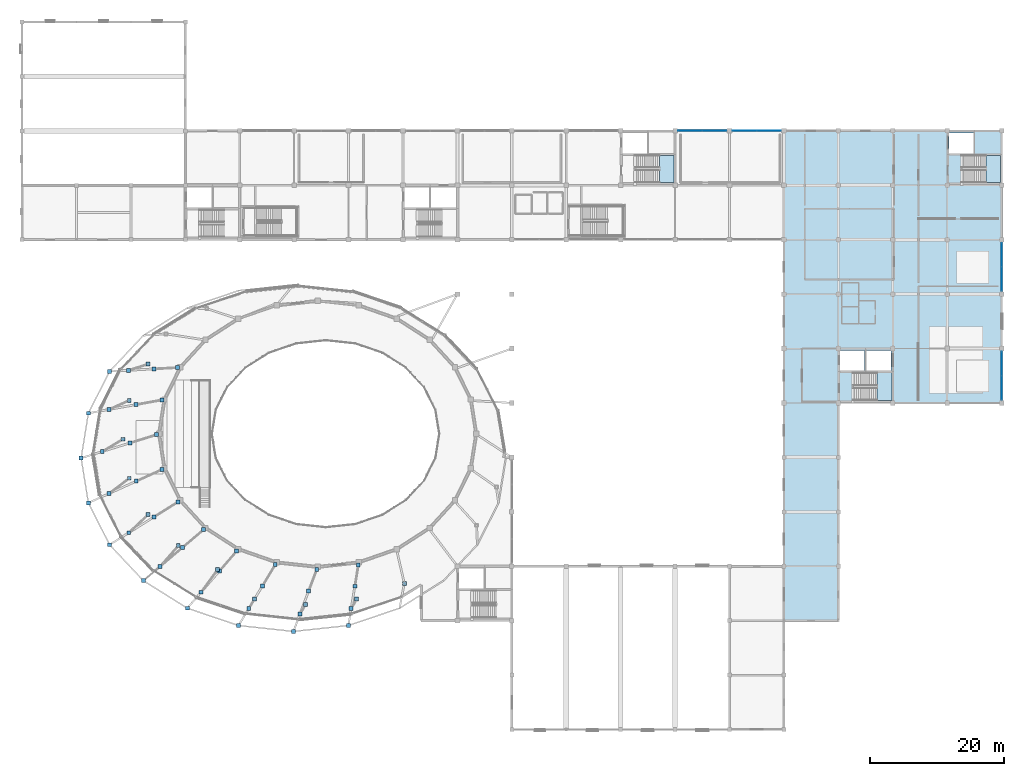
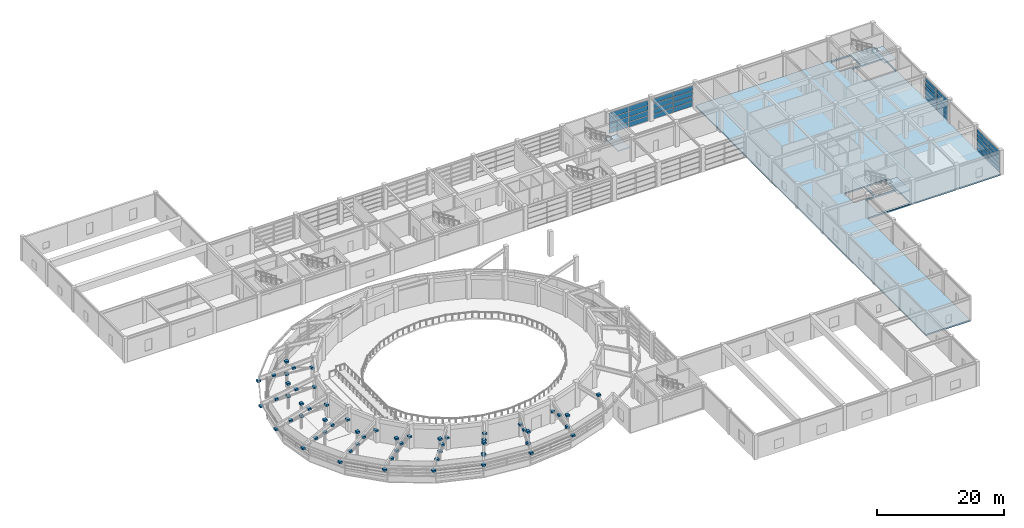
# One storey, part 40 of 58: 97 plates, 4 slabs, 7 elements without a shape of their own.
"""IFC4 building model written with IfcOpenShell, lengths in metres."""

from ifc_helpers import new_model, si_unit, direction, frame, origin, origin_2d, place, context, subcontext, project, spatial, polyline, rectangle, outline, extrude, material, layer, layer_set, type_object, element, aggregate, save


model = new_model("IFC4")

# Units and contexts
model_context = context("Model", 3, precision=1e-05, world=origin(), true_north=direction((0.0, 1.0)))
body_context = subcontext(model_context, "Body", "Model", "MODEL_VIEW")
ifc_project = project(units=[si_unit("LENGTHUNIT", "METRE"), si_unit("AREAUNIT", "SQUARE_METRE"), si_unit("VOLUMEUNIT", "CUBIC_METRE"), si_unit("PLANEANGLEUNIT", "RADIAN"), si_unit("MASSUNIT", "GRAM", prefix="KILO")], contexts=[model_context])

# Site, building, storey
site_placement = place(None, origin())
site = spatial("IfcSite", under=ifc_project, at=site_placement, CompositionType="ELEMENT")
building_placement = place(site_placement, origin())
building = spatial("IfcBuilding", under=site, at=building_placement, Name="Parian Resonance Hall", CompositionType="ELEMENT")
storey_placement = place(building_placement, frame((0.0, 0.0, 10.199951171875)))
storey = spatial("IfcBuildingStorey", under=building, at=storey_placement, Name="L02", CompositionType="ELEMENT", Elevation=10.199951171875)

# Curtain wall, plates
ifc_material_1 = material(Name="Bronze-anodised aluminium frame", Category="aluminium")
curtain_wall_type_1 = type_object("IfcCurtainWallType", Name="CW-SYS-02", PredefinedType="NOTDEFINED", material=ifc_material_1)
curtain_wall_1_placement = place(storey_placement, origin())
curtain_wall_1 = element("IfcCurtainWall", 1, at=curtain_wall_1_placement, inside=storey, type_object=curtain_wall_type_1, Name="Curtain wall CW-L02-102", PredefinedType="NOTDEFINED")
ifc_material_2 = material(Name="Acoustic laminated double glazing", Category="glass")
ifc_layer_1 = layer(ifc_material_2, 0.02197265625)
ifc_layer_set_1 = layer_set([ifc_layer_1], Name="Acoustic laminated double glazing")
plate_type_1 = type_object("IfcPlateType", Name="CWP-IGU22", PredefinedType="CURTAIN_PANEL", material=ifc_layer_set_1)
plate_1_placement = place(storey_placement, frame((99.458740234375, 89.10009765625, 0.06689453125), z_axis=(0.0, 0.0, 1.0), x_axis=(1.0, 0.0, 0.0)))
plate_1 = element("IfcPlate", 2, at=plate_1_placement, type_object=plate_type_1, Name="CW-02 panel 1.1", PredefinedType="CURTAIN_PANEL", context=body_context, shape_type="SweptSolid", body=[
    extrude(rectangle(XDim=3.507568359375, YDim=0.02197265625, at=origin_2d()), origin(), (0.0, 0.0, 1.0), 0.917236328125),
])
plate_2_placement = place(storey_placement, frame((99.458740234375, 89.10009765625, 1.059326171875), z_axis=(0.0, 0.0, 1.0), x_axis=(1.0, 0.0, 0.0)))
plate_2 = element("IfcPlate", 3, at=plate_2_placement, type_object=plate_type_1, Name="CW-02 panel 1.2", PredefinedType="CURTAIN_PANEL", context=body_context, shape_type="SweptSolid", body=[
    extrude(rectangle(XDim=3.507568359375, YDim=0.02197265625, at=origin_2d()), origin(), (0.0, 0.0, 1.0), 0.94677734375),
])
plate_3_placement = place(storey_placement, frame((99.458740234375, 89.10009765625, 2.0810546875), z_axis=(0.0, 0.0, 1.0), x_axis=(1.0, 0.0, 0.0)))
plate_3 = element("IfcPlate", 4, at=plate_3_placement, type_object=plate_type_1, Name="CW-02 panel 1.3", PredefinedType="CURTAIN_PANEL", context=body_context, shape_type="SweptSolid", body=[
    extrude(rectangle(XDim=3.507568359375, YDim=0.02197265625, at=origin_2d()), origin(), (0.0, 0.0, 1.0), 0.94677734375),
])
plate_4_placement = place(storey_placement, frame((99.458740234375, 89.10009765625, 3.10302734375), z_axis=(0.0, 0.0, 1.0), x_axis=(1.0, 0.0, 0.0)))
plate_4 = element("IfcPlate", 5, at=plate_4_placement, type_object=plate_type_1, Name="CW-02 panel 1.4", PredefinedType="CURTAIN_PANEL", context=body_context, shape_type="SweptSolid", body=[
    extrude(rectangle(XDim=3.507568359375, YDim=0.02197265625, at=origin_2d()), origin(), (0.0, 0.0, 1.0), 0.919189453125),
])
plate_5_placement = place(storey_placement, frame((103.041259765625, 89.10009765625, 0.06689453125), z_axis=(0.0, 0.0, 1.0), x_axis=(1.0, 0.0, 0.0)))
plate_5 = element("IfcPlate", 6, at=plate_5_placement, type_object=plate_type_1, Name="CW-02 panel 2.1", PredefinedType="CURTAIN_PANEL", context=body_context, shape_type="SweptSolid", body=[
    extrude(rectangle(XDim=3.507568359375, YDim=0.02197265625, at=origin_2d()), origin(), (0.0, 0.0, 1.0), 0.917236328125),
])
plate_6_placement = place(storey_placement, frame((103.041259765625, 89.10009765625, 1.059326171875), z_axis=(0.0, 0.0, 1.0), x_axis=(1.0, 0.0, 0.0)))
plate_6 = element("IfcPlate", 7, at=plate_6_placement, type_object=plate_type_1, Name="CW-02 panel 2.2", PredefinedType="CURTAIN_PANEL", context=body_context, shape_type="SweptSolid", body=[
    extrude(rectangle(XDim=3.507568359375, YDim=0.02197265625, at=origin_2d()), origin(), (0.0, 0.0, 1.0), 0.94677734375),
])
plate_7_placement = place(storey_placement, frame((103.041259765625, 89.10009765625, 2.0810546875), z_axis=(0.0, 0.0, 1.0), x_axis=(1.0, 0.0, 0.0)))
plate_7 = element("IfcPlate", 8, at=plate_7_placement, type_object=plate_type_1, Name="CW-02 panel 2.3", PredefinedType="CURTAIN_PANEL", context=body_context, shape_type="SweptSolid", body=[
    extrude(rectangle(XDim=3.507568359375, YDim=0.02197265625, at=origin_2d()), origin(), (0.0, 0.0, 1.0), 0.94677734375),
])
plate_8_placement = place(storey_placement, frame((103.041259765625, 89.10009765625, 3.10302734375), z_axis=(0.0, 0.0, 1.0), x_axis=(1.0, 0.0, 0.0)))
plate_8 = element("IfcPlate", 9, at=plate_8_placement, type_object=plate_type_1, Name="CW-02 panel 2.4", PredefinedType="CURTAIN_PANEL", context=body_context, shape_type="SweptSolid", body=[
    extrude(rectangle(XDim=3.507568359375, YDim=0.02197265625, at=origin_2d()), origin(), (0.0, 0.0, 1.0), 0.919189453125),
])
aggregate(curtain_wall_1, [plate_1, plate_2, plate_3, plate_4, plate_5, plate_6, plate_7, plate_8])

ifc_material_3 = material(Name="Bronze-anodised aluminium frame", Category="aluminium")
curtain_wall_type_2 = type_object("IfcCurtainWallType", Name="CW-SYS-03", PredefinedType="NOTDEFINED", material=ifc_material_3)
curtain_wall_2_placement = place(storey_placement, origin())
curtain_wall_2 = element("IfcCurtainWall", 10, at=curtain_wall_2_placement, inside=storey, type_object=curtain_wall_type_2, Name="Curtain wall CW-L02-105", PredefinedType="NOTDEFINED")
plate_9_placement = place(storey_placement, frame((107.55615234375, 89.10009765625, 0.05712890625), z_axis=(0.0, 0.0, 1.0), x_axis=(1.0, 0.0, 0.0)))
plate_9 = element("IfcPlate", 11, at=plate_9_placement, type_object=plate_type_1, Name="CW-03 panel 1.1", PredefinedType="CURTAIN_PANEL", context=body_context, shape_type="SweptSolid", body=[
    extrude(rectangle(XDim=3.5224609375, YDim=0.02197265625, at=origin_2d()), origin(), (0.0, 0.0, 1.0), 0.919189453125),
])
plate_10_placement = place(storey_placement, frame((107.55615234375, 89.10009765625, 1.041259765625), z_axis=(0.0, 0.0, 1.0), x_axis=(1.0, 0.0, 0.0)))
plate_10 = element("IfcPlate", 12, at=plate_10_placement, type_object=plate_type_1, Name="CW-03 panel 1.2", PredefinedType="CURTAIN_PANEL", context=body_context, shape_type="SweptSolid", body=[
    extrude(rectangle(XDim=3.5224609375, YDim=0.02197265625, at=origin_2d()), origin(), (0.0, 0.0, 1.0), 0.94384765625),
])
plate_11_placement = place(storey_placement, frame((107.55615234375, 89.10009765625, 2.050048828125), z_axis=(0.0, 0.0, 1.0), x_axis=(1.0, 0.0, 0.0)))
plate_11 = element("IfcPlate", 13, at=plate_11_placement, type_object=plate_type_1, Name="CW-03 panel 1.3", PredefinedType="CURTAIN_PANEL", context=body_context, shape_type="SweptSolid", body=[
    extrude(rectangle(XDim=3.5224609375, YDim=0.02197265625, at=origin_2d()), origin(), (0.0, 0.0, 1.0), 0.94384765625),
])
plate_12_placement = place(storey_placement, frame((107.55615234375, 89.10009765625, 3.05908203125), z_axis=(0.0, 0.0, 1.0), x_axis=(1.0, 0.0, 0.0)))
plate_12 = element("IfcPlate", 14, at=plate_12_placement, type_object=plate_type_1, Name="CW-03 panel 1.4", PredefinedType="CURTAIN_PANEL", context=body_context, shape_type="SweptSolid", body=[
    extrude(rectangle(XDim=3.5224609375, YDim=0.02197265625, at=origin_2d()), origin(), (0.0, 0.0, 1.0), 0.921142578125),
])
plate_13_placement = place(storey_placement, frame((111.143798828125, 89.10009765625, 0.05712890625), z_axis=(0.0, 0.0, 1.0), x_axis=(1.0, 0.0, 0.0)))
plate_13 = element("IfcPlate", 15, at=plate_13_placement, type_object=plate_type_1, Name="CW-03 panel 2.1", PredefinedType="CURTAIN_PANEL", context=body_context, shape_type="SweptSolid", body=[
    extrude(rectangle(XDim=3.5224609375, YDim=0.02197265625, at=origin_2d()), origin(), (0.0, 0.0, 1.0), 0.919189453125),
])
plate_14_placement = place(storey_placement, frame((111.143798828125, 89.10009765625, 1.041259765625), z_axis=(0.0, 0.0, 1.0), x_axis=(1.0, 0.0, 0.0)))
plate_14 = element("IfcPlate", 16, at=plate_14_placement, type_object=plate_type_1, Name="CW-03 panel 2.2", PredefinedType="CURTAIN_PANEL", context=body_context, shape_type="SweptSolid", body=[
    extrude(rectangle(XDim=3.5224609375, YDim=0.02197265625, at=origin_2d()), origin(), (0.0, 0.0, 1.0), 0.94384765625),
])
plate_15_placement = place(storey_placement, frame((111.143798828125, 89.10009765625, 2.050048828125), z_axis=(0.0, 0.0, 1.0), x_axis=(1.0, 0.0, 0.0)))
plate_15 = element("IfcPlate", 17, at=plate_15_placement, type_object=plate_type_1, Name="CW-03 panel 2.3", PredefinedType="CURTAIN_PANEL", context=body_context, shape_type="SweptSolid", body=[
    extrude(rectangle(XDim=3.5224609375, YDim=0.02197265625, at=origin_2d()), origin(), (0.0, 0.0, 1.0), 0.94384765625),
])
plate_16_placement = place(storey_placement, frame((111.143798828125, 89.10009765625, 3.05908203125), z_axis=(0.0, 0.0, 1.0), x_axis=(1.0, 0.0, 0.0)))
plate_16 = element("IfcPlate", 18, at=plate_16_placement, type_object=plate_type_1, Name="CW-03 panel 2.4", PredefinedType="CURTAIN_PANEL", context=body_context, shape_type="SweptSolid", body=[
    extrude(rectangle(XDim=3.5224609375, YDim=0.02197265625, at=origin_2d()), origin(), (0.0, 0.0, 1.0), 0.921142578125),
])
aggregate(curtain_wall_2, [plate_9, plate_10, plate_11, plate_12, plate_13, plate_14, plate_15, plate_16])

curtain_wall_3_placement = place(storey_placement, origin())
curtain_wall_3 = element("IfcCurtainWall", 19, at=curtain_wall_3_placement, inside=storey, type_object=curtain_wall_type_2, Name="Curtain wall CW-L02-147", PredefinedType="NOTDEFINED")
plate_17_placement = place(storey_placement, frame((145.800048828125, 70.643798828125, 0.05712890625), z_axis=(0.0, 0.0, 1.0), x_axis=(0.0, -1.0, 0.0)))
plate_17 = element("IfcPlate", 20, at=plate_17_placement, type_object=plate_type_1, Name="CW-03 panel 1.1", PredefinedType="CURTAIN_PANEL", context=body_context, shape_type="SweptSolid", body=[
    extrude(rectangle(XDim=3.5224609375, YDim=0.02197265625, at=origin_2d()), origin(), (0.0, 0.0, 1.0), 0.747802734375),
])
plate_18_placement = place(storey_placement, frame((145.800048828125, 70.643798828125, 0.869873046875), z_axis=(0.0, 0.0, 1.0), x_axis=(0.0, -1.0, 0.0)))
plate_18 = element("IfcPlate", 21, at=plate_18_placement, type_object=plate_type_1, Name="CW-03 panel 1.2", PredefinedType="CURTAIN_PANEL", context=body_context, shape_type="SweptSolid", body=[
    extrude(rectangle(XDim=3.5224609375, YDim=0.02197265625, at=origin_2d()), origin(), (0.0, 0.0, 1.0), 0.7724609375),
])
plate_19_placement = place(storey_placement, frame((145.800048828125, 70.643798828125, 1.707275390625), z_axis=(0.0, 0.0, 1.0), x_axis=(0.0, -1.0, 0.0)))
plate_19 = element("IfcPlate", 22, at=plate_19_placement, type_object=plate_type_1, Name="CW-03 panel 1.3", PredefinedType="CURTAIN_PANEL", context=body_context, shape_type="SweptSolid", body=[
    extrude(rectangle(XDim=3.5224609375, YDim=0.02197265625, at=origin_2d()), origin(), (0.0, 0.0, 1.0), 0.7724609375),
])
plate_20_placement = place(storey_placement, frame((145.800048828125, 70.643798828125, 2.544677734375), z_axis=(0.0, 0.0, 1.0), x_axis=(0.0, -1.0, 0.0)))
plate_20 = element("IfcPlate", 23, at=plate_20_placement, type_object=plate_type_1, Name="CW-03 panel 1.4", PredefinedType="CURTAIN_PANEL", context=body_context, shape_type="SweptSolid", body=[
    extrude(rectangle(XDim=3.5224609375, YDim=0.02197265625, at=origin_2d()), origin(), (0.0, 0.0, 1.0), 0.7724609375),
])
plate_21_placement = place(storey_placement, frame((145.800048828125, 70.643798828125, 3.382080078125), z_axis=(0.0, 0.0, 1.0), x_axis=(0.0, -1.0, 0.0)))
plate_21 = element("IfcPlate", 24, at=plate_21_placement, type_object=plate_type_1, Name="CW-03 panel 1.5", PredefinedType="CURTAIN_PANEL", context=body_context, shape_type="SweptSolid", body=[
    extrude(rectangle(XDim=3.5224609375, YDim=0.02197265625, at=origin_2d()), origin(), (0.0, 0.0, 1.0), 0.75),
])
plate_22_placement = place(storey_placement, frame((145.800048828125, 67.05615234375, 0.05712890625), z_axis=(0.0, 0.0, 1.0), x_axis=(0.0, -1.0, 0.0)))
plate_22 = element("IfcPlate", 25, at=plate_22_placement, type_object=plate_type_1, Name="CW-03 panel 2.1", PredefinedType="CURTAIN_PANEL", context=body_context, shape_type="SweptSolid", body=[
    extrude(rectangle(XDim=3.5224609375, YDim=0.02197265625, at=origin_2d()), origin(), (0.0, 0.0, 1.0), 0.747802734375),
])
plate_23_placement = place(storey_placement, frame((145.800048828125, 67.05615234375, 0.869873046875), z_axis=(0.0, 0.0, 1.0), x_axis=(0.0, -1.0, 0.0)))
plate_23 = element("IfcPlate", 26, at=plate_23_placement, type_object=plate_type_1, Name="CW-03 panel 2.2", PredefinedType="CURTAIN_PANEL", context=body_context, shape_type="SweptSolid", body=[
    extrude(rectangle(XDim=3.5224609375, YDim=0.02197265625, at=origin_2d()), origin(), (0.0, 0.0, 1.0), 0.7724609375),
])
plate_24_placement = place(storey_placement, frame((145.800048828125, 67.05615234375, 1.707275390625), z_axis=(0.0, 0.0, 1.0), x_axis=(0.0, -1.0, 0.0)))
plate_24 = element("IfcPlate", 27, at=plate_24_placement, type_object=plate_type_1, Name="CW-03 panel 2.3", PredefinedType="CURTAIN_PANEL", context=body_context, shape_type="SweptSolid", body=[
    extrude(rectangle(XDim=3.5224609375, YDim=0.02197265625, at=origin_2d()), origin(), (0.0, 0.0, 1.0), 0.7724609375),
])
plate_25_placement = place(storey_placement, frame((145.800048828125, 67.05615234375, 2.544677734375), z_axis=(0.0, 0.0, 1.0), x_axis=(0.0, -1.0, 0.0)))
plate_25 = element("IfcPlate", 28, at=plate_25_placement, type_object=plate_type_1, Name="CW-03 panel 2.4", PredefinedType="CURTAIN_PANEL", context=body_context, shape_type="SweptSolid", body=[
    extrude(rectangle(XDim=3.5224609375, YDim=0.02197265625, at=origin_2d()), origin(), (0.0, 0.0, 1.0), 0.7724609375),
])
plate_26_placement = place(storey_placement, frame((145.800048828125, 67.05615234375, 3.382080078125), z_axis=(0.0, 0.0, 1.0), x_axis=(0.0, -1.0, 0.0)))
plate_26 = element("IfcPlate", 29, at=plate_26_placement, type_object=plate_type_1, Name="CW-03 panel 2.5", PredefinedType="CURTAIN_PANEL", context=body_context, shape_type="SweptSolid", body=[
    extrude(rectangle(XDim=3.5224609375, YDim=0.02197265625, at=origin_2d()), origin(), (0.0, 0.0, 1.0), 0.75),
])
aggregate(curtain_wall_3, [plate_17, plate_18, plate_19, plate_20, plate_21, plate_22, plate_23, plate_24, plate_25, plate_26])

ifc_material_4 = material(Name="Bronze-anodised aluminium frame", Category="aluminium")
curtain_wall_type_3 = type_object("IfcCurtainWallType", Name="CW-SYS-01", PredefinedType="NOTDEFINED", material=ifc_material_4)
curtain_wall_4_placement = place(storey_placement, origin())
curtain_wall_4 = element("IfcCurtainWall", 30, at=curtain_wall_4_placement, inside=storey, type_object=curtain_wall_type_3, Name="Curtain wall CW-L02-146", PredefinedType="NOTDEFINED")
ifc_material_5 = material(Name="Acoustic laminated double glazing", Category="glass")
ifc_layer_2 = layer(ifc_material_5, 0.0419921875)
ifc_layer_set_2 = layer_set([ifc_layer_2], Name="Acoustic laminated double glazing")
plate_type_2 = type_object("IfcPlateType", Name="CWP-IGU42", PredefinedType="CURTAIN_PANEL", material=ifc_layer_set_2)
plate_27_placement = place(storey_placement, frame((145.800048828125, 54.441162109375, 0.067138671875), z_axis=(0.0, 0.0, 1.0), x_axis=(0.0, -1.0, 0.0)))
plate_27 = element("IfcPlate", 31, at=plate_27_placement, type_object=plate_type_2, Name="CW-01 panel 1.1", PredefinedType="CURTAIN_PANEL", context=body_context, shape_type="SweptSolid", body=[
    extrude(rectangle(XDim=3.507568359375, YDim=0.0419921875, at=origin_2d()), origin(), (0.0, 0.0, 1.0), 0.73291015625),
])
plate_28_placement = place(storey_placement, frame((145.800048828125, 54.441162109375, 0.875), z_axis=(0.0, 0.0, 1.0), x_axis=(0.0, -1.0, 0.0)))
plate_28 = element("IfcPlate", 32, at=plate_28_placement, type_object=plate_type_2, Name="CW-01 panel 1.2", PredefinedType="CURTAIN_PANEL", context=body_context, shape_type="SweptSolid", body=[
    extrude(rectangle(XDim=3.507568359375, YDim=0.0419921875, at=origin_2d()), origin(), (0.0, 0.0, 1.0), 0.762451171875),
])
plate_29_placement = place(storey_placement, frame((145.800048828125, 54.441162109375, 1.71240234375), z_axis=(0.0, 0.0, 1.0), x_axis=(0.0, -1.0, 0.0)))
plate_29 = element("IfcPlate", 33, at=plate_29_placement, type_object=plate_type_2, Name="CW-01 panel 1.3", PredefinedType="CURTAIN_PANEL", context=body_context, shape_type="SweptSolid", body=[
    extrude(rectangle(XDim=3.507568359375, YDim=0.0419921875, at=origin_2d()), origin(), (0.0, 0.0, 1.0), 0.762451171875),
])
plate_30_placement = place(storey_placement, frame((145.800048828125, 54.441162109375, 2.5498046875), z_axis=(0.0, 0.0, 1.0), x_axis=(0.0, -1.0, 0.0)))
plate_30 = element("IfcPlate", 34, at=plate_30_placement, type_object=plate_type_2, Name="CW-01 panel 1.4", PredefinedType="CURTAIN_PANEL", context=body_context, shape_type="SweptSolid", body=[
    extrude(rectangle(XDim=3.507568359375, YDim=0.0419921875, at=origin_2d()), origin(), (0.0, 0.0, 1.0), 0.762451171875),
])
plate_31_placement = place(storey_placement, frame((145.800048828125, 54.441162109375, 3.38720703125), z_axis=(0.0, 0.0, 1.0), x_axis=(0.0, -1.0, 0.0)))
plate_31 = element("IfcPlate", 35, at=plate_31_placement, type_object=plate_type_2, Name="CW-01 panel 1.5", PredefinedType="CURTAIN_PANEL", context=body_context, shape_type="SweptSolid", body=[
    extrude(rectangle(XDim=3.507568359375, YDim=0.0419921875, at=origin_2d()), origin(), (0.0, 0.0, 1.0), 0.73486328125),
])
plate_32_placement = place(storey_placement, frame((145.800048828125, 50.858642578125, 0.067138671875), z_axis=(0.0, 0.0, 1.0), x_axis=(0.0, -1.0, 0.0)))
plate_32 = element("IfcPlate", 36, at=plate_32_placement, type_object=plate_type_2, Name="CW-01 panel 2.1", PredefinedType="CURTAIN_PANEL", context=body_context, shape_type="SweptSolid", body=[
    extrude(rectangle(XDim=3.507568359375, YDim=0.0419921875, at=origin_2d()), origin(), (0.0, 0.0, 1.0), 0.73291015625),
])
plate_33_placement = place(storey_placement, frame((145.800048828125, 50.858642578125, 0.875), z_axis=(0.0, 0.0, 1.0), x_axis=(0.0, -1.0, 0.0)))
plate_33 = element("IfcPlate", 37, at=plate_33_placement, type_object=plate_type_2, Name="CW-01 panel 2.2", PredefinedType="CURTAIN_PANEL", context=body_context, shape_type="SweptSolid", body=[
    extrude(rectangle(XDim=3.507568359375, YDim=0.0419921875, at=origin_2d()), origin(), (0.0, 0.0, 1.0), 0.762451171875),
])
plate_34_placement = place(storey_placement, frame((145.800048828125, 50.858642578125, 1.71240234375), z_axis=(0.0, 0.0, 1.0), x_axis=(0.0, -1.0, 0.0)))
plate_34 = element("IfcPlate", 38, at=plate_34_placement, type_object=plate_type_2, Name="CW-01 panel 2.3", PredefinedType="CURTAIN_PANEL", context=body_context, shape_type="SweptSolid", body=[
    extrude(rectangle(XDim=3.507568359375, YDim=0.0419921875, at=origin_2d()), origin(), (0.0, 0.0, 1.0), 0.762451171875),
])
plate_35_placement = place(storey_placement, frame((145.800048828125, 50.858642578125, 2.5498046875), z_axis=(0.0, 0.0, 1.0), x_axis=(0.0, -1.0, 0.0)))
plate_35 = element("IfcPlate", 39, at=plate_35_placement, type_object=plate_type_2, Name="CW-01 panel 2.4", PredefinedType="CURTAIN_PANEL", context=body_context, shape_type="SweptSolid", body=[
    extrude(rectangle(XDim=3.507568359375, YDim=0.0419921875, at=origin_2d()), origin(), (0.0, 0.0, 1.0), 0.762451171875),
])
plate_36_placement = place(storey_placement, frame((145.800048828125, 50.858642578125, 3.38720703125), z_axis=(0.0, 0.0, 1.0), x_axis=(0.0, -1.0, 0.0)))
plate_36 = element("IfcPlate", 40, at=plate_36_placement, type_object=plate_type_2, Name="CW-01 panel 2.5", PredefinedType="CURTAIN_PANEL", context=body_context, shape_type="SweptSolid", body=[
    extrude(rectangle(XDim=3.507568359375, YDim=0.0419921875, at=origin_2d()), origin(), (0.0, 0.0, 1.0), 0.73486328125),
])
aggregate(curtain_wall_4, [plate_27, plate_28, plate_29, plate_30, plate_31, plate_32, plate_33, plate_34, plate_35, plate_36])

# Plates
ifc_material_6 = material(Name="Steel S355", Category="steel")
ifc_layer_3 = layer(ifc_material_6, 0.340087890625)
ifc_layer_set_3 = layer_set([ifc_layer_3], Name="Steel S355")
plate_type_3 = type_object("IfcPlateType", Name="PLT-CAP-500", PredefinedType="SHEET", material=ifc_layer_set_3)
for number, where, z_axis, x_axis, name in (
    (41, (8.800048828125, 40.39990234375, 3.580078125), (0.0, 0.0, 1.0), (1.0, 0.0, 0.0), "Steel hollow-section node closure block 0007"),
    (42, (9.876953125, 47.077880859375, 3.580078125), (0.0, 0.0, 1.0), (1.0, 0.0, 0.0), "Steel hollow-section node closure block 0009"),
    (43, (11.94091796875, 41.375, 3.580078125), (0.0, 0.0, 1.0), (1.0, 0.0, 0.0), "Steel hollow-section node closure block 0013"),
    (44, (12.93798828125, 47.631103515625, 3.580078125), (0.0, 0.0, 1.0), (1.0, 0.0, 0.0), "Steel hollow-section node closure block 0018"),
    (45, (12.947021484375, 35.118896484375, 3.580078125), (0.0, 0.0, 1.0), (1.0, 0.0, 0.0), "Steel hollow-section node closure block 0019"),
    (46, (13.033935546875, 53.300048828125, 3.580078125), (0.0, 0.0, 1.0), (1.0, 0.0, 0.0), "Steel hollow-section node closure block 0021"),
    (47, (15.0, 43.199951171875, 2.22998046875), (0.0, 0.0, 1.0), (1.0, 0.0, 0.0), "Steel hollow-section node closure block 0030"),
    (48, (15.0, 43.199951171875, 4.6298828125), (0.0, 0.0, 1.0), (1.0, 0.0, 0.0), "Steel hollow-section node closure block 0031"),
    (49, (15.8701171875, 53.4619140625, 3.580078125), (0.0, 0.0, 1.0), (1.0, 0.0, 0.0), "Steel hollow-section node closure block 0034"),
    (50, (15.9609375, 37.403076171875, 2.22998046875), (0.0, 0.0, 1.0), (1.0, 0.0, 0.0), "Steel hollow-section node closure block 0039"),
    (51, (15.9609375, 37.403076171875, 4.6298828125), (0.0, 0.0, 1.0), (1.0, 0.0, 0.0), "Steel hollow-section node closure block 0040"),
    (52, (15.9609375, 48.998046875, 4.6298828125), (0.0, 0.0, 1.0), (1.0, 0.0, 0.0), "Steel hollow-section node closure block 0045"),
    (53, (16.092041015625, 42.6630859375, 3.580078125), (0.0, 0.0, 1.0), (1.0, 0.0, 0.0), "Steel hollow-section node closure block 0046"),
    (54, (16.98388671875, 48.362060546875, 3.580078125), (0.0, 0.0, 1.0), (1.0, 0.0, 0.0), "Steel hollow-section node closure block 0048"),
    (55, (17.0029296875, 36.964111328125, 3.580078125), (0.0, 0.0, 1.0), (1.0, 0.0, 0.0), "Steel hollow-section node closure block 0049"),
    (56, (18.054931640625, 22.156982421875, 3.580078125), (0.0, 0.0, 1.0), (1.0, 0.0, 0.0), "Steel hollow-section node closure block 0054"),
    (57, (18.778076171875, 32.0, 2.22998046875), (0.0, 0.0, 1.0), (1.0, 0.0, 0.0), "Steel hollow-section node closure block 0058"),
    (58, (18.778076171875, 54.39990234375, 2.22998046875), (0.0, 0.0, 1.0), (1.0, 0.0, 0.0), "Steel hollow-section node closure block 0063"),
    (59, (18.778076171875, 54.39990234375, 4.6298828125), (0.0, 0.0, 1.0), (1.0, 0.0, 0.0), "Steel hollow-section node closure block 0064"),
    (60, (19.616943359375, 53.675048828125, 3.580078125), (0.0, 0.0, 1.0), (1.0, 0.0, 0.0), "Steel hollow-section node closure block 0066"),
    (61, (19.656982421875, 31.652099609375, 3.580078125), (0.0, 0.0, 1.0), (1.0, 0.0, 0.0), "Steel hollow-section node closure block 0067"),
    (62, (20.81103515625, 49.052978515625, 2.22998046875), (0.0, 0.0, 1.0), (1.0, 0.0, 0.0), "Steel hollow-section node closure block 0076"),
    (63, (20.840087890625, 38.7099609375, 2.22998046875), (0.0, 0.0, 1.0), (1.0, 0.0, 0.0), "Steel hollow-section node closure block 0078"),
    (64, (23.260009765625, 27.361083984375, 2.22998046875), (0.0, 0.0, 1.0), (1.0, 0.0, 0.0), "Steel hollow-section node closure block 0090"),
    (65, (23.260009765625, 27.361083984375, 4.6298828125), (0.0, 0.0, 1.0), (1.0, 0.0, 0.0), "Steel hollow-section node closure block 0091"),
    (66, (23.8740234375, 27.0859375, 3.580078125), (0.0, 0.0, 1.0), (1.0, 0.0, 0.0), "Steel hollow-section node closure block 0093"),
    (67, (24.60009765625, 18.055908203125, 3.580078125), (0.0, 0.0, 1.0), (1.0, 0.0, 0.0), "Steel hollow-section node closure block 0100"),
    (68, (27.007080078125, 29.740966796875, 2.22998046875), (0.0, 0.0, 1.0), (1.0, 0.0, 0.0), "Steel hollow-section node closure block 0106"),
    (69, (29.10009765625, 23.801025390625, 4.6298828125), (0.0, 0.0, 1.0), (1.0, 0.0, 0.0), "Steel hollow-section node closure block 0120"),
    (70, (29.3701171875, 23.576904296875, 3.580078125), (0.0, 0.0, 1.0), (1.0, 0.0, 0.0), "Steel hollow-section node closure block 0121"),
    (71, (31.93798828125, 26.550048828125, 2.22998046875), (0.0, 0.0, 1.0), (1.0, 0.0, 0.0), "Steel hollow-section node closure block 0130"),
    (72, (33.7509765625, 18.013916015625, 3.580078125), (0.0, 0.0, 1.0), (1.0, 0.0, 0.0), "Steel hollow-section node closure block 0136"),
    (73, (34.591064453125, 19.404052734375, 2.22998046875), (0.0, 0.0, 1.0), (1.0, 0.0, 0.0), "Steel hollow-section node closure block 0145"),
    (74, (35.77294921875, 21.364013671875, 3.580078125), (0.0, 0.0, 1.0), (1.0, 0.0, 0.0), "Steel hollow-section node closure block 0150"),
    (75, (37.68505859375, 24.531982421875, 2.22998046875), (0.0, 0.0, 1.0), (1.0, 0.0, 0.0), "Steel hollow-section node closure block 0156"),
    (76, (40.39990234375, 14.60009765625, 3.580078125), (0.0, 0.0, 1.0), (1.0, 0.0, 0.0), "Steel hollow-section node closure block 0168"),
    (77, (41.368896484375, 17.18310546875, 3.580078125), (0.0, 0.0, 1.0), (1.0, 0.0, 0.0), "Steel hollow-section node closure block 0174"),
    (78, (42.199951171875, 18.60009765625, 2.22998046875), (0.0, 0.0, 1.0), (1.0, 0.0, 0.0), "Steel hollow-section node closure block 0184"),
    (79, (42.64892578125, 20.596923828125, 3.580078125), (0.0, 0.0, 1.0), (1.0, 0.0, 0.0), "Steel hollow-section node closure block 0186"),
    (80, (48.5791015625, 15.47900390625, 3.580078125), (0.0, 0.0, 1.0), (1.0, 0.0, 0.0), "Steel hollow-section node closure block 0222"),
    (81, (48.989013671875, 17.9990234375, 3.580078125), (0.0, 0.0, 1.0), (1.0, 0.0, 0.0), "Steel hollow-section node closure block 0225"),
    (82, (49.531005859375, 21.330078125, 3.580078125), (0.0, 0.0, 1.0), (1.0, 0.0, 0.0), "Steel hollow-section node closure block 0228"),
    (83, (49.80908203125, 19.404052734375, 2.22998046875), (0.0, 0.0, 1.0), (1.0, 0.0, 0.0), "Steel hollow-section node closure block 0231"),
    (84, (49.80908203125, 19.404052734375, 4.6298828125), (0.0, 0.0, 1.0), (1.0, 0.0, 0.0), "Steel hollow-section node closure block 0232"),
    (85, (50.0439453125, 24.47998046875, 2.22998046875), (0.0, 0.0, 1.0), (1.0, 0.0, 0.0), "Steel hollow-section node closure block 0234"),
    (86, (56.89990234375, 21.761962890625, 4.6298828125), (0.0, 0.0, 1.0), (1.0, 0.0, 0.0), "Steel hollow-section node closure block 0255"),
):
    element("IfcPlate", number, at=place(storey_placement, frame(where, z_axis=z_axis, x_axis=x_axis)), inside=storey, type_object=plate_type_3, Name=name, PredefinedType="SHEET", context=body_context, shape_type="SweptSolid", body=[
        extrude(rectangle(XDim=0.580078125, YDim=0.580078125, at=origin_2d()), origin(), (0.0, 0.0, 1.0), 0.340087890625),
    ])
ifc_material_7 = material(Name="Steel S355", Category="steel")
ifc_layer_4 = layer(ifc_material_7, 0.360107421875)
ifc_layer_set_4 = layer_set([ifc_layer_4], Name="Steel S355")
plate_type_4 = type_object("IfcPlateType", Name="PLT-GUS-520", PredefinedType="USERDEFINED", material=ifc_layer_set_4)
for number, where, z_axis, x_axis, name in (
    (87, (9.876953125, 33.721923828125, 3.56982421875), (0.0, 0.0, 1.0), (1.0, 0.0, 0.0), "Steel hollow-section node closure block 0008"),
    (88, (13.033935546875, 27.5, 3.56982421875), (0.0, 0.0, 1.0), (1.0, 0.0, 0.0), "Steel hollow-section node closure block 0020"),
    (89, (15.886962890625, 29.2880859375, 3.56982421875), (0.0, 0.0, 1.0), (1.0, 0.0, 0.0), "Steel hollow-section node closure block 0035"),
    (90, (15.9609375, 48.998046875, 2.22021484375), (0.0, 0.0, 1.0), (1.0, 0.0, 0.0), "Steel hollow-section node closure block 0044"),
    (91, (18.778076171875, 32.0, 4.6201171875), (0.0, 0.0, 1.0), (1.0, 0.0, 0.0), "Steel hollow-section node closure block 0059"),
    (92, (20.01806640625, 43.881103515625, 2.22021484375), (0.0, 0.0, 1.0), (1.0, 0.0, 0.0), "Steel hollow-section node closure block 0071"),
    (93, (20.56201171875, 24.280029296875, 3.56982421875), (0.0, 0.0, 1.0), (1.0, 0.0, 0.0), "Steel hollow-section node closure block 0074"),
    (94, (23.162109375, 53.876953125, 2.22021484375), (0.0, 0.0, 1.0), (1.0, 0.0, 0.0), "Steel hollow-section node closure block 0083"),
    (95, (23.222900390625, 33.887939453125, 2.22021484375), (0.0, 0.0, 1.0), (1.0, 0.0, 0.0), "Steel hollow-section node closure block 0086"),
    (96, (26.655029296875, 20.43505859375, 3.56982421875), (0.0, 0.0, 1.0), (1.0, 0.0, 0.0), "Steel hollow-section node closure block 0104"),
    (97, (29.10009765625, 23.801025390625, 2.22021484375), (0.0, 0.0, 1.0), (1.0, 0.0, 0.0), "Steel hollow-section node closure block 0119"),
    (98, (32.220947265625, 15.47900390625, 3.56982421875), (0.0, 0.0, 1.0), (1.0, 0.0, 0.0), "Steel hollow-section node closure block 0131"),
    (99, (34.591064453125, 19.404052734375, 4.6201171875), (0.0, 0.0, 1.0), (1.0, 0.0, 0.0), "Steel hollow-section node closure block 0146"),
    (100, (42.199951171875, 18.60009765625, 4.6201171875), (0.0, 0.0, 1.0), (1.0, 0.0, 0.0), "Steel hollow-section node closure block 0185"),
    (101, (43.860107421875, 23.824951171875, 2.22021484375), (0.0, 0.0, 1.0), (1.0, 0.0, 0.0), "Steel hollow-section node closure block 0191"),
):
    element("IfcPlate", number, at=place(storey_placement, frame(where, z_axis=z_axis, x_axis=x_axis)), inside=storey, type_object=plate_type_4, Name=name, ObjectType="GUSSET PLATE", PredefinedType="USERDEFINED", context=body_context, shape_type="SweptSolid", body=[
        extrude(rectangle(XDim=0.580078125, YDim=0.580078125, at=origin_2d()), origin(), (0.0, 0.0, 1.0), 0.360107421875),
    ])

# Slab
ifc_material_8 = material(Name="Concrete C35/45", Category="concrete")
ifc_layer_5 = layer(ifc_material_8, 0.27001953125)
ifc_layer_set_5 = layer_set([ifc_layer_5], Name="Concrete C35/45")
slab_type_1 = type_object("IfcSlabType", Name="SLB-FLR-270", PredefinedType="FLOOR", material=ifc_layer_set_5)
slab_1_placement = place(storey_placement, frame((0.0, 0.0, -0.27001953125)))
element("IfcSlab", 102, at=slab_1_placement, inside=storey, type_object=slab_type_1, Name="Recording studio, ensemble wing and folio link L02 slab", PredefinedType="FLOOR", context=body_context, shape_type="SweptSolid", body=[
    extrude(outline(polyline([(121.5, 16.199951171875), (121.5, 48.60009765625), (145.800048828125, 48.60009765625), (145.800048828125, 89.10009765625), (113.39990234375, 89.10009765625), (113.39990234375, 48.60009765625), (113.39990234375, 16.199951171875), (121.5, 16.199951171875)]), holes=[polyline([(129.4599609375, 53.10009765625), (129.4599609375, 49.0), (123.695068359375, 49.0), (123.695068359375, 53.10009765625), (129.4599609375, 53.10009765625)]), polyline([(125.39990234375, 56.39990234375), (125.39990234375, 53.35009765625), (121.739990234375, 53.35009765625), (121.739990234375, 56.39990234375), (125.39990234375, 56.39990234375)]), polyline([(129.360107421875, 56.39990234375), (129.360107421875, 53.35009765625), (125.699951171875, 53.35009765625), (125.699951171875, 56.39990234375), (129.360107421875, 56.39990234375)]), polyline([(145.6201171875, 81.39990234375), (139.875, 81.39990234375), (139.875, 85.4599609375), (145.6201171875, 85.4599609375), (145.6201171875, 81.39990234375)]), polyline([(141.60009765625, 85.75), (137.93994140625, 85.75), (137.93994140625, 88.800048828125), (141.60009765625, 88.800048828125), (141.60009765625, 85.75)])]), origin(), (0.0, 0.0, 1.0), 0.27001953125),
])

# Stair, slab
ifc_material_9 = material(Name="Concrete C40/50", Category="concrete")
stair_type_1 = type_object("IfcStairType", Name="STAIR-CORE-1850", PredefinedType="HALF_TURN_STAIR", material=ifc_material_9)
stair_1_placement = place(storey_placement, origin())
stair_1 = element("IfcStair", 103, at=stair_1_placement, inside=storey, type_object=stair_type_1, Name="L02 ST-02", PredefinedType="HALF_TURN_STAIR")
ifc_material_10 = material(Name="Concrete C40/50", Category="concrete")
ifc_layer_6 = layer(ifc_material_10, 0.199951171875)
ifc_layer_set_6 = layer_set([ifc_layer_6], Name="Concrete C40/50")
slab_type_2 = type_object("IfcSlabType", Name="SLB-LANDING-200", PredefinedType="LANDING", material=ifc_layer_set_6)
slab_2_placement = place(storey_placement, frame((0.0, 0.0, 2.199951171875)))
slab_2 = element("IfcSlab", 104, at=slab_2_placement, type_object=slab_type_2, Name="ST-02 landing 1", PredefinedType="LANDING", context=body_context, shape_type="SweptSolid", body=[
    extrude(outline(polyline([(127.280029296875, 49.0), (129.4599609375, 49.0), (129.4599609375, 53.10009765625), (127.280029296875, 53.10009765625), (127.280029296875, 49.0)])), origin(), (0.0, 0.0, 1.0), 0.2001953125),
])
aggregate(stair_1, [slab_2])

ifc_material_11 = material(Name="Concrete C40/50", Category="concrete")
stair_type_2 = type_object("IfcStairType", Name="STAIR-CORE-1800", PredefinedType="HALF_TURN_STAIR", material=ifc_material_11)
stair_2_placement = place(storey_placement, origin())
stair_2 = element("IfcStair", 105, at=stair_2_placement, inside=storey, type_object=stair_type_2, Name="L02 ST-05", PredefinedType="HALF_TURN_STAIR")
slab_3_placement = place(storey_placement, frame((0.0, 0.0, 2.199951171875)))
slab_3 = element("IfcSlab", 106, at=slab_3_placement, type_object=slab_type_2, Name="ST-05 landing 1", PredefinedType="LANDING", context=body_context, shape_type="SweptSolid", body=[
    extrude(outline(polyline([(94.860107421875, 81.39990234375), (97.02001953125, 81.39990234375), (97.02001953125, 85.4599609375), (94.860107421875, 85.4599609375), (94.860107421875, 81.39990234375)])), origin(), (0.0, 0.0, 1.0), 0.2001953125),
])
aggregate(stair_2, [slab_3])

stair_3_placement = place(storey_placement, origin())
stair_3 = element("IfcStair", 107, at=stair_3_placement, inside=storey, type_object=stair_type_2, Name="L02 ST-06", PredefinedType="HALF_TURN_STAIR")
slab_4_placement = place(storey_placement, frame((0.0, 0.0, 2.199951171875)))
slab_4 = element("IfcSlab", 108, at=slab_4_placement, type_object=slab_type_2, Name="ST-06 landing 1", PredefinedType="LANDING", context=body_context, shape_type="SweptSolid", body=[
    extrude(outline(polyline([(143.4599609375, 81.39990234375), (145.6201171875, 81.39990234375), (145.6201171875, 85.4599609375), (143.4599609375, 85.4599609375), (143.4599609375, 81.39990234375)])), origin(), (0.0, 0.0, 1.0), 0.2001953125),
])
aggregate(stair_3, [slab_4])

save(model, "model.ifc")
